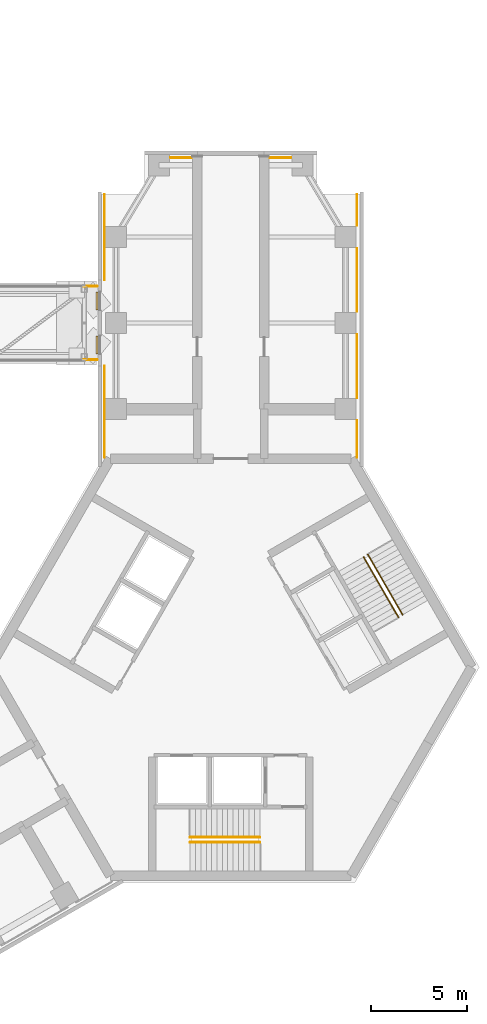
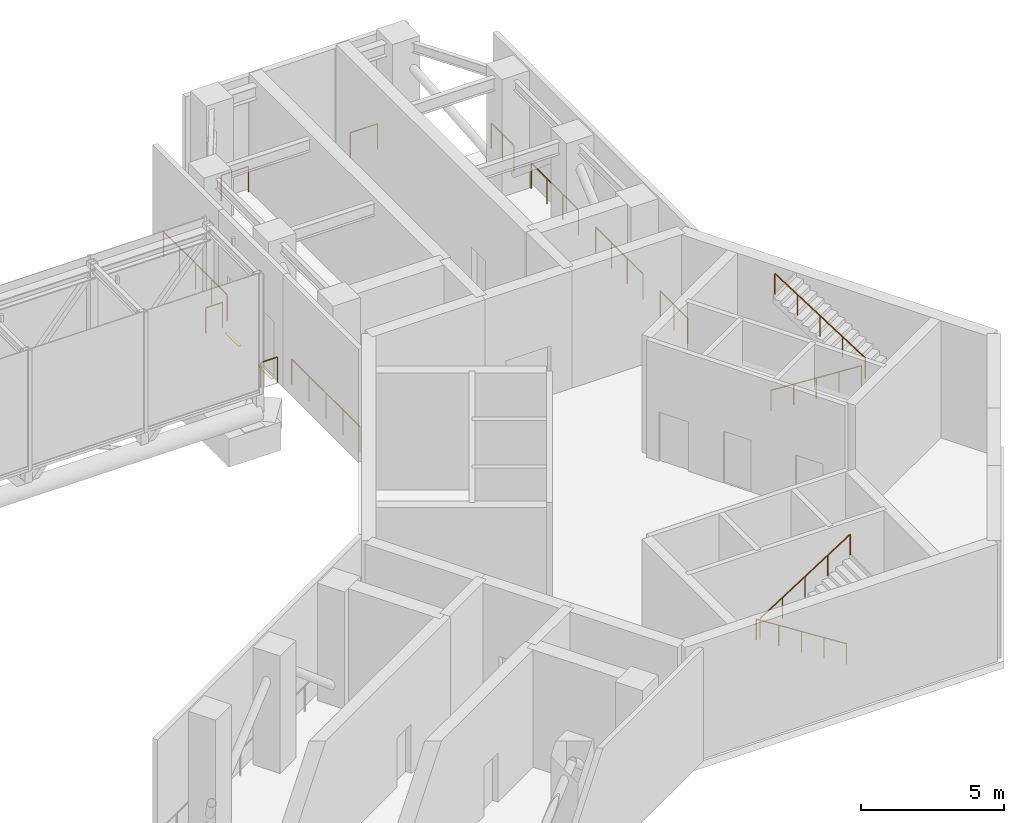
# One storey, part 15 of 15: 14 railings, 2 coverings.
"""IFC4 building model written with IfcOpenShell, lengths in metres."""

from ifc_helpers import new_model, si_unit, direction, frame, origin, origin_2d, place, context, subcontext, project, spatial, rectangle, circle, extrude, material, layer, layer_set, type_object, element, save


model = new_model("IFC4")

# Units and contexts
model_context = context("Model", 3, precision=1e-05, world=origin(), true_north=direction((0.0, 1.0)))
body_context = subcontext(model_context, "Body", "Model", "MODEL_VIEW")
ifc_project = project(units=[si_unit("LENGTHUNIT", "METRE"), si_unit("AREAUNIT", "SQUARE_METRE"), si_unit("VOLUMEUNIT", "CUBIC_METRE"), si_unit("PLANEANGLEUNIT", "RADIAN"), si_unit("MASSUNIT", "GRAM", prefix="KILO")], contexts=[model_context])

# Site, building, storey
site_placement = place(None, origin())
site = spatial("IfcSite", under=ifc_project, at=site_placement, CompositionType="ELEMENT")
building_placement = place(site_placement, origin())
building = spatial("IfcBuilding", under=site, at=building_placement, Name="Upepo Twin Towers", CompositionType="ELEMENT")
storey_placement = place(building_placement, frame((0.0, 0.0, 238.5)))
storey = spatial("IfcBuildingStorey", under=building, at=storey_placement, Name="L58", CompositionType="ELEMENT", Elevation=238.5)

# Coverings
ifc_material_1 = material(Name="Stainless steel 1.4401", Category="steel")
ifc_layer = layer(ifc_material_1, 0.02001953125)
ifc_layer_set = layer_set([ifc_layer], Name="Expansion joint sill plate 20 stainless steel")
covering_type = type_object("IfcCoveringType", Name="Expansion joint sill plate 20 stainless steel", PredefinedType="FLOORING", material=ifc_layer_set)
for number, where, z_axis, x_axis, name in (
    (1, (51.49755859375, -1.14990234375, -0.02001953125), (0.0, 0.0, 1.0), (1.0, 0.0, 0.0), "BR3 movement joint sill plate 1 at T2"),
    (2, (51.49755859375, 1.14990234375, -0.02001953125), (0.0, 0.0, 1.0), (1.0, 0.0, 0.0), "BR3 movement joint sill plate 2 at T2"),
):
    element("IfcCovering", number, at=place(storey_placement, frame(where, z_axis=z_axis, x_axis=x_axis)), inside=storey, type_object=covering_type, Name=name, PredefinedType="FLOORING", context=body_context, shape_type="SweptSolid", body=[
        extrude(rectangle(XDim=0.10498046875, YDim=0.949951171875, at=origin_2d()), origin(), (0.0, 0.0, 1.0), 0.02001953125),
    ])

# Railings
ifc_material_2 = material(Name="Stainless steel and glass", Category="steel")
railing_type_1 = type_object("IfcRailingType", Name="Guard 1100", PredefinedType="GUARDRAIL", material=ifc_material_2)
railing_1_placement = place(storey_placement, frame((51.89990234375, -7.014892578125, 0.0)))
element("IfcRailing", 3, at=railing_1_placement, inside=storey, type_object=railing_type_1, Name="T2 L58 open floor guard", PredefinedType="GUARDRAIL", context=body_context, shape_type="SweptSolid", body=[
    extrude(circle(Radius=0.02392578125, at=origin_2d()), frame((0.0, 0.0, 1.076171875), z_axis=(0.0, 1.0, 0.0), x_axis=(-1.0, 0.0, 0.0)), (0.0, 0.0, 1.0), 4.764892578125),
    extrude(circle(Radius=0.02099609375, at=origin_2d()), origin(), (0.0, 0.0, 1.0), 1.052001953125),
    extrude(circle(Radius=0.02099609375, at=origin_2d()), frame((0.0, 1.191162109375, 0.0)), (0.0, 0.0, 1.0), 1.052001953125),
    extrude(circle(Radius=0.02099609375, at=origin_2d()), frame((0.0, 2.38232421875, 0.0)), (0.0, 0.0, 1.0), 1.052001953125),
    extrude(circle(Radius=0.02099609375, at=origin_2d()), frame((0.0, 3.57373046875, 0.0)), (0.0, 0.0, 1.0), 1.052001953125),
    extrude(circle(Radius=0.02099609375, at=origin_2d()), frame((0.0, 4.764892578125, 0.0)), (0.0, 0.0, 1.0), 1.052001953125),
])
railing_2_placement = place(storey_placement, frame((51.89990234375, 2.25, 0.0)))
element("IfcRailing", 4, at=railing_2_placement, inside=storey, type_object=railing_type_1, Name="T2 L58 open floor guard", PredefinedType="GUARDRAIL", context=body_context, shape_type="SweptSolid", body=[
    extrude(circle(Radius=0.02392578125, at=origin_2d()), frame((0.0, 0.0, 1.076171875), z_axis=(0.0, 1.0, 0.0), x_axis=(-1.0, 0.0, 0.0)), (0.0, 0.0, 1.0), 4.449951171875),
    extrude(circle(Radius=0.02099609375, at=origin_2d()), origin(), (0.0, 0.0, 1.0), 1.052001953125),
    extrude(circle(Radius=0.02099609375, at=origin_2d()), frame((0.0, 1.112548828125, 0.0)), (0.0, 0.0, 1.0), 1.052001953125),
    extrude(circle(Radius=0.02099609375, at=origin_2d()), frame((0.0, 2.22509765625, 0.0)), (0.0, 0.0, 1.0), 1.052001953125),
    extrude(circle(Radius=0.02099609375, at=origin_2d()), frame((0.0, 3.33740234375, 0.0)), (0.0, 0.0, 1.0), 1.052001953125),
    extrude(circle(Radius=0.02099609375, at=origin_2d()), frame((0.0, 4.449951171875, 0.0)), (0.0, 0.0, 1.0), 1.052001953125),
])
railing_3_placement = place(storey_placement, frame((65.10009765625, -5.10009765625, 0.0)))
element("IfcRailing", 5, at=railing_3_placement, inside=storey, type_object=railing_type_1, Name="T2 L58 open floor guard", PredefinedType="GUARDRAIL", context=body_context, shape_type="SweptSolid", body=[
    extrude(circle(Radius=0.02392578125, at=origin_2d()), frame((0.0, 0.0, 1.076171875), z_axis=(0.0, -1.0, 0.0), x_axis=(1.0, 0.0, 0.0)), (0.0, 0.0, 1.0), 1.914794921875),
    extrude(circle(Radius=0.02099609375, at=origin_2d()), origin(), (0.0, 0.0, 1.0), 1.052001953125),
    extrude(circle(Radius=0.02099609375, at=origin_2d()), frame((0.0, -0.95751953125, 0.0)), (0.0, 0.0, 1.0), 1.052001953125),
    extrude(circle(Radius=0.02099609375, at=origin_2d()), frame((0.0, -1.914794921875, 0.0)), (0.0, 0.0, 1.0), 1.052001953125),
])
for number, where, name in (
    (6, (65.10009765625, -0.60009765625, 0.0), "T2 L58 open floor guard"),
    (7, (65.10009765625, 3.89990234375, 0.0), "T2 L58 open floor guard"),
):
    element("IfcRailing", number, at=place(storey_placement, frame(where)), inside=storey, type_object=railing_type_1, Name=name, PredefinedType="GUARDRAIL", context=body_context, shape_type="SweptSolid", body=[
        extrude(circle(Radius=0.02392578125, at=origin_2d()), frame((0.0, 0.0, 1.076171875), z_axis=(0.0, -1.0, 0.0), x_axis=(1.0, 0.0, 0.0)), (0.0, 0.0, 1.0), 3.2998046875),
        extrude(circle(Radius=0.02099609375, at=origin_2d()), origin(), (0.0, 0.0, 1.0), 1.052001953125),
        extrude(circle(Radius=0.02099609375, at=origin_2d()), frame((0.0, -1.099853515625, 0.0)), (0.0, 0.0, 1.0), 1.052001953125),
        extrude(circle(Radius=0.02099609375, at=origin_2d()), frame((0.0, -2.199951171875, 0.0)), (0.0, 0.0, 1.0), 1.052001953125),
        extrude(circle(Radius=0.02099609375, at=origin_2d()), frame((0.0, -3.2998046875, 0.0)), (0.0, 0.0, 1.0), 1.052001953125),
    ])
railing_4_placement = place(storey_placement, frame((65.10009765625, 6.699951171875, 0.0)))
element("IfcRailing", 8, at=railing_4_placement, inside=storey, type_object=railing_type_1, Name="T2 L58 open floor guard", PredefinedType="GUARDRAIL", context=body_context, shape_type="SweptSolid", body=[
    extrude(circle(Radius=0.02392578125, at=origin_2d()), frame((0.0, 0.0, 1.076171875), z_axis=(0.0, -1.0, 0.0), x_axis=(1.0, 0.0, 0.0)), (0.0, 0.0, 1.0), 1.599853515625),
    extrude(circle(Radius=0.02099609375, at=origin_2d()), origin(), (0.0, 0.0, 1.0), 1.052001953125),
    extrude(circle(Radius=0.02099609375, at=origin_2d()), frame((0.0, -0.7998046875, 0.0)), (0.0, 0.0, 1.0), 1.052001953125),
    extrude(circle(Radius=0.02099609375, at=origin_2d()), frame((0.0, -1.599853515625, 0.0)), (0.0, 0.0, 1.0), 1.052001953125),
])
for number, where, name in (
    (9, (61.64990234375, 8.64990234375, 0.0), "T2 L58 open floor guard"),
    (10, (56.449951171875, 8.64990234375, 0.0), "T2 L58 open floor guard"),
):
    element("IfcRailing", number, at=place(storey_placement, frame(where)), inside=storey, type_object=railing_type_1, Name=name, PredefinedType="GUARDRAIL", context=body_context, shape_type="SweptSolid", body=[
        extrude(circle(Radius=0.02392578125, at=origin_2d()), frame((0.0, 0.0, 1.076171875), z_axis=(-1.0, 0.0, 0.0), x_axis=(0.0, -1.0, 0.0)), (0.0, 0.0, 1.0), 1.099853515625),
        extrude(circle(Radius=0.02099609375, at=origin_2d()), origin(), (0.0, 0.0, 1.0), 1.052001953125),
        extrude(circle(Radius=0.02099609375, at=origin_2d()), frame((-1.099853515625, 0.0, 0.0)), (0.0, 0.0, 1.0), 1.052001953125),
    ])
for number, where, name in (
    (11, (50.840087890625, 1.919921875, 0.02001953125), "BR3 movement joint guard N"),
    (12, (50.840087890625, -1.919921875, 0.02001953125), "BR3 movement joint guard S"),
):
    element("IfcRailing", number, at=place(storey_placement, frame(where)), inside=storey, type_object=railing_type_1, Name=name, PredefinedType="GUARDRAIL", context=body_context, shape_type="SweptSolid", body=[
        extrude(circle(Radius=0.02392578125, at=origin_2d()), frame((0.0, 0.0, 1.076171875), z_axis=(1.0, 0.0, 0.0), x_axis=(0.0, 1.0, 0.0)), (0.0, 0.0, 1.0), 0.6748046875),
        extrude(circle(Radius=0.02099609375, at=origin_2d()), origin(), (0.0, 0.0, 1.0), 1.052001953125),
        extrude(circle(Radius=0.02099609375, at=origin_2d()), frame((0.6748046875, 0.0, 0.0)), (0.0, 0.0, 1.0), 1.052001953125),
    ])
ifc_material_3 = material(Name="Stainless steel", Category="steel")
railing_type_2 = type_object("IfcRailingType", Name="Stair handrail 900", PredefinedType="HANDRAIL", material=ifc_material_3)
railing_5_placement = place(storey_placement, frame((60.02001953125, -26.89990234375, 0.178466796875)))
element("IfcRailing", 13, at=railing_5_placement, inside=storey, type_object=railing_type_2, Name="T2 stair S1 L58 handrail 1", PredefinedType="HANDRAIL", context=body_context, shape_type="SweptSolid", body=[
    extrude(circle(Radius=0.02392578125, at=origin_2d()), frame((0.0, 0.0, 0.8759765625), z_axis=(-0.843127859045, 0.0, 0.537713132908), x_axis=(0.0, -1.0, 0.0)), (0.0, 0.0, 1.0), 4.3173828125),
    extrude(circle(Radius=0.02099609375, at=origin_2d()), origin(), (0.0, 0.0, 1.0), 0.851806640625),
    extrude(circle(Radius=0.02099609375, at=origin_2d()), frame((-0.91015625, 0.0, 0.580322265625)), (0.0, 0.0, 1.0), 0.851806640625),
    extrude(circle(Radius=0.02099609375, at=origin_2d()), frame((-1.820068359375, 0.0, 1.16064453125)), (0.0, 0.0, 1.0), 0.851806640625),
    extrude(circle(Radius=0.02099609375, at=origin_2d()), frame((-2.72998046875, 0.0, 1.7412109375)), (0.0, 0.0, 1.0), 0.851806640625),
    extrude(circle(Radius=0.02099609375, at=origin_2d()), frame((-3.64013671875, 0.0, 2.321533203125)), (0.0, 0.0, 1.0), 0.851806640625),
])
railing_6_placement = place(storey_placement, frame((56.3798828125, -27.158447265625, 2.678466796875)))
element("IfcRailing", 14, at=railing_6_placement, inside=storey, type_object=railing_type_2, Name="T2 stair S1 L58 handrail 2", PredefinedType="HANDRAIL", context=body_context, shape_type="SweptSolid", body=[
    extrude(circle(Radius=0.02392578125, at=origin_2d()), frame((0.0, 0.0, 0.8759765625), z_axis=(0.843127859045, 0.0, 0.537713132908), x_axis=(0.0, 1.0, 0.0)), (0.0, 0.0, 1.0), 4.3173828125),
    extrude(circle(Radius=0.02099609375, at=origin_2d()), origin(), (0.0, 0.0, 1.0), 0.851806640625),
    extrude(circle(Radius=0.02099609375, at=origin_2d()), frame((0.91015625, 0.0, 0.580322265625)), (0.0, 0.0, 1.0), 0.851806640625),
    extrude(circle(Radius=0.02099609375, at=origin_2d()), frame((1.820068359375, 0.0, 1.16064453125)), (0.0, 0.0, 1.0), 0.851806640625),
    extrude(circle(Radius=0.02099609375, at=origin_2d()), frame((2.72998046875, 0.0, 1.7412109375)), (0.0, 0.0, 1.0), 0.851806640625),
    extrude(circle(Radius=0.02099609375, at=origin_2d()), frame((3.64013671875, 0.0, 2.321533203125)), (0.0, 0.0, 1.0), 0.851806640625),
])
railing_7_placement = place(storey_placement, frame((65.447509765625, -12.233642578125, 0.178466796875)))
element("IfcRailing", 15, at=railing_7_placement, inside=storey, type_object=railing_type_2, Name="T2 stair S2 L58 handrail 1", PredefinedType="HANDRAIL", context=body_context, shape_type="SweptSolid", body=[
    extrude(circle(Radius=0.02392578125, at=origin_2d()), frame((0.0, 0.0, 0.8759765625), z_axis=(0.421571566915, -0.730158560966, 0.537722874553), x_axis=(0.866018046521, 0.500012742938, 0.0)), (0.0, 0.0, 1.0), 4.3173828125),
    extrude(circle(Radius=0.02099609375, at=origin_2d()), origin(), (0.0, 0.0, 1.0), 0.851806640625),
    extrude(circle(Radius=0.02099609375, at=origin_2d()), frame((0.455078125, -0.7880859375, 0.580322265625)), (0.0, 0.0, 1.0), 0.851806640625),
    extrude(circle(Radius=0.02099609375, at=origin_2d()), frame((0.91015625, -1.576171875, 1.16064453125)), (0.0, 0.0, 1.0), 0.851806640625),
    extrude(circle(Radius=0.02099609375, at=origin_2d()), frame((1.364990234375, -2.3642578125, 1.7412109375)), (0.0, 0.0, 1.0), 0.851806640625),
    extrude(circle(Radius=0.02099609375, at=origin_2d()), frame((1.820068359375, -3.15234375, 2.321533203125)), (0.0, 0.0, 1.0), 0.851806640625),
])
railing_8_placement = place(storey_placement, frame((67.491455078125, -15.2568359375, 2.678466796875)))
element("IfcRailing", 16, at=railing_8_placement, inside=storey, type_object=railing_type_2, Name="T2 stair S2 L58 handrail 2", PredefinedType="HANDRAIL", context=body_context, shape_type="SweptSolid", body=[
    extrude(circle(Radius=0.02392578125, at=origin_2d()), frame((0.0, 0.0, 0.8759765625), z_axis=(-0.421571566915, 0.730158560966, 0.537722874553), x_axis=(-0.866018046521, -0.500012742938, 0.0)), (0.0, 0.0, 1.0), 4.3173828125),
    extrude(circle(Radius=0.02099609375, at=origin_2d()), origin(), (0.0, 0.0, 1.0), 0.851806640625),
    extrude(circle(Radius=0.02099609375, at=origin_2d()), frame((-0.455078125, 0.7880859375, 0.580322265625)), (0.0, 0.0, 1.0), 0.851806640625),
    extrude(circle(Radius=0.02099609375, at=origin_2d()), frame((-0.91015625, 1.576171875, 1.16064453125)), (0.0, 0.0, 1.0), 0.851806640625),
    extrude(circle(Radius=0.02099609375, at=origin_2d()), frame((-1.364990234375, 2.3642578125, 1.7412109375)), (0.0, 0.0, 1.0), 0.851806640625),
    extrude(circle(Radius=0.02099609375, at=origin_2d()), frame((-1.820068359375, 3.15234375, 2.321533203125)), (0.0, 0.0, 1.0), 0.851806640625),
])

save(model, "model.ifc")
